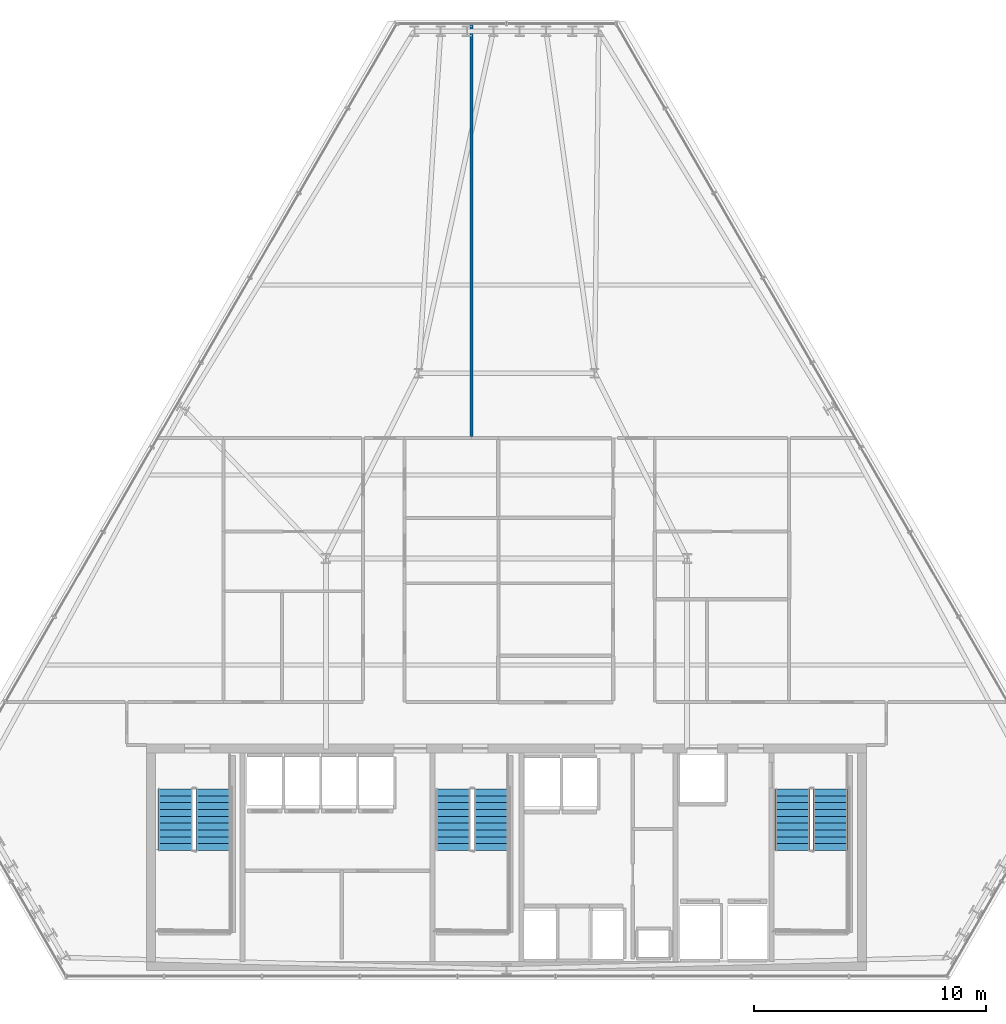
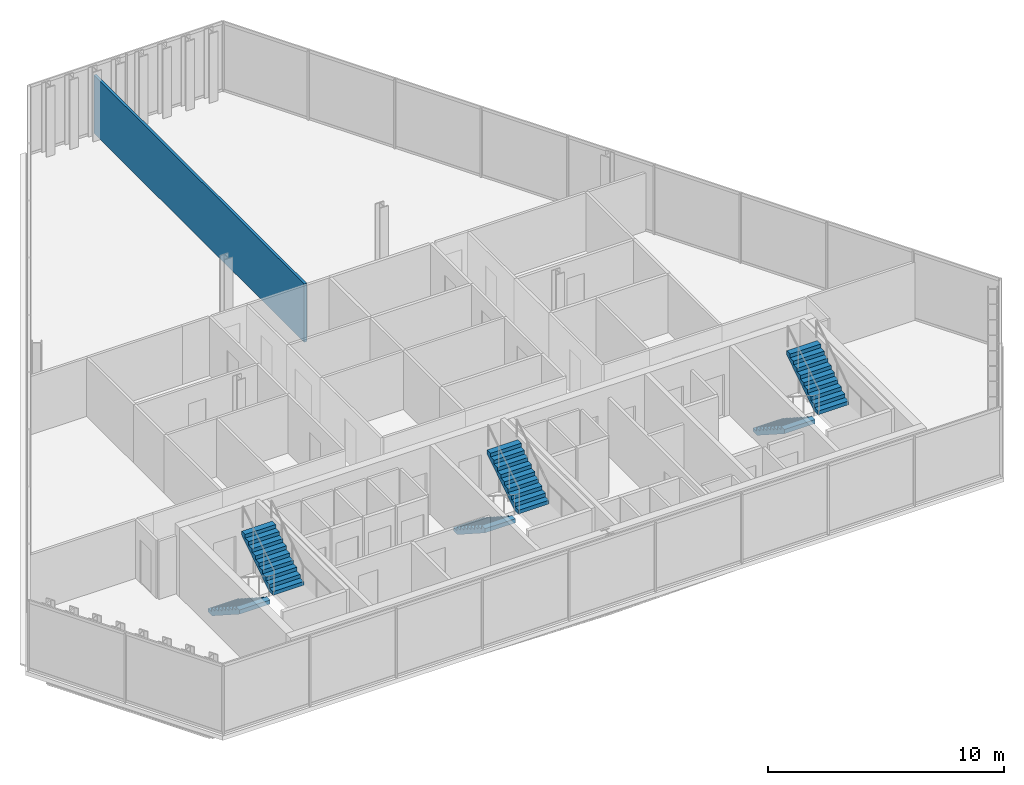
# One storey, part 30 of 33: 6 stair flights, 1 wall, 3 elements without a shape of their own.
"""IFC4 building model written with IfcOpenShell, lengths in metres."""

from ifc_helpers import new_model, si_unit, direction, frame, frame_2d, origin, place, context, subcontext, project, spatial, polyline, rectangle, outline, extrude, material, layer, layer_set, type_object, element, aggregate, save


model = new_model("IFC4")

# Units and contexts
model_context = context("Model", 3, precision=1e-05, world=origin(), true_north=direction((0.0, 1.0)))
body_context = subcontext(model_context, "Body", "Model", "MODEL_VIEW")
ifc_project = project(units=[si_unit("LENGTHUNIT", "METRE"), si_unit("AREAUNIT", "SQUARE_METRE"), si_unit("VOLUMEUNIT", "CUBIC_METRE"), si_unit("PLANEANGLEUNIT", "RADIAN"), si_unit("MASSUNIT", "GRAM", prefix="KILO")], contexts=[model_context])

# Site, building, storey
site_placement = place(None, origin())
site = spatial("IfcSite", under=ifc_project, at=site_placement, CompositionType="ELEMENT")
building_placement = place(site_placement, origin())
building = spatial("IfcBuilding", under=site, at=building_placement, Name="Ndaravel Arena Tower", CompositionType="ELEMENT")
storey_placement = place(building_placement, frame((0.0, 0.0, 184.0)))
storey = spatial("IfcBuildingStorey", under=building, at=storey_placement, Name="L44", CompositionType="ELEMENT", Elevation=184.0)

# Wall
ifc_material_1 = material(Name="Gypsum", Category="gypsum")
ifc_layer = layer(ifc_material_1, 0.125)
ifc_layer_set = layer_set([ifc_layer], Name="Gypsum")
wall_type = type_object("IfcWallType", Name="WALL-PART-125", PredefinedType="PARTITIONING", material=ifc_layer_set)
wall_placement = place(storey_placement, frame((40.49365234375, 46.29248046875, 0.0), z_axis=(0.0, 0.0, 1.0), x_axis=(0.0, -1.0, 0.0)))
element("IfcWall", 1, at=wall_placement, inside=storey, type_object=wall_type, Name="L44 Interior Partition 062", PredefinedType="PARTITIONING", context=body_context, shape_type="SweptSolid", body=[
    extrude(rectangle(XDim=17.827392578125, YDim=0.125, at=frame_2d((8.91357421875, 0.0))), origin(), (0.0, 0.0, 1.0), 3.010498046875),
])

# Stair, stair flights
ifc_material_2 = material(Name="Concrete C40/50", Category="concrete")
stair_type = type_object("IfcStairType", Name="STAIR-CORE-HT", PredefinedType="HALF_TURN_STAIR", material=ifc_material_2)
stair_1_placement = place(storey_placement, origin())
stair_1 = element("IfcStair", 2, at=stair_1_placement, inside=storey, type_object=stair_type, Name="L44 ST-1", PredefinedType="HALF_TURN_STAIR")
ifc_material_3 = material(Name="Concrete C40/50", Category="concrete")
stair_flight_type = type_object("IfcStairFlightType", Name="SFLIGHT-CORE-1680", PredefinedType="STRAIGHT", material=ifc_material_3)
stair_flight_1_placement = place(storey_placement, frame((27.699951171875, 13.25, 0.0), z_axis=(0.0, 0.0, 1.0), x_axis=(0.0, -1.0, 0.0)))
stair_flight_1 = element("IfcStairFlight", 3, at=stair_flight_1_placement, type_object=stair_flight_type, Name="ST-1 flight 1", NumberOfRisers=10, NumberOfTreads=9, PredefinedType="STRAIGHT", RiserHeight=0.19, TreadLength=0.295, context=body_context, shape_type="SweptSolid", body=[
    extrude(outline(polyline([(0.0, 0.0), (0.0, 0.18994140625), (0.294921875, 0.18994140625), (0.294921875, 0.3798828125), (0.590087890625, 0.3798828125), (0.590087890625, 0.570068359375), (0.885009765625, 0.570068359375), (0.885009765625, 0.760009765625), (1.179931640625, 0.760009765625), (1.179931640625, 0.949951171875), (1.47509765625, 0.949951171875), (1.47509765625, 1.139892578125), (1.77001953125, 1.139892578125), (1.77001953125, 1.330078125), (2.06494140625, 1.330078125), (2.06494140625, 1.52001953125), (2.360107421875, 1.52001953125), (2.360107421875, 1.7099609375), (2.655029296875, 1.7099609375), (2.655029296875, 1.89990234375), (2.655029296875, 1.49609375), (0.332275390625, 0.0), (0.0, 0.0)])), frame((0.0, 0.75, 0.0), z_axis=(0.0, -1.0, 0.0), x_axis=(1.0, 0.0, 0.0)), (0.0, 0.0, 1.0), 1.5),
])
stair_flight_2_placement = place(storey_placement, frame((29.340087890625, 10.594970703125, 1.89990234375), z_axis=(0.0, 0.0, 1.0), x_axis=(0.0, 1.0, 0.0)))
stair_flight_2 = element("IfcStairFlight", 4, at=stair_flight_2_placement, type_object=stair_flight_type, Name="ST-1 flight 2", NumberOfRisers=10, NumberOfTreads=9, PredefinedType="STRAIGHT", RiserHeight=0.19, TreadLength=0.295, context=body_context, shape_type="SweptSolid", body=[
    extrude(outline(polyline([(0.0, 0.0), (0.0, 0.18994140625), (0.294921875, 0.18994140625), (0.294921875, 0.3798828125), (0.590087890625, 0.3798828125), (0.590087890625, 0.570068359375), (0.885009765625, 0.570068359375), (0.885009765625, 0.760009765625), (1.179931640625, 0.760009765625), (1.179931640625, 0.949951171875), (1.47509765625, 0.949951171875), (1.47509765625, 1.139892578125), (1.77001953125, 1.139892578125), (1.77001953125, 1.330078125), (2.06494140625, 1.330078125), (2.06494140625, 1.52001953125), (2.360107421875, 1.52001953125), (2.360107421875, 1.7099609375), (2.655029296875, 1.7099609375), (2.655029296875, 1.89990234375), (2.655029296875, 1.49609375), (0.332275390625, 0.0), (0.0, 0.0)])), frame((0.0, 0.75, 0.0), z_axis=(0.0, -1.0, 0.0), x_axis=(1.0, 0.0, 0.0)), (0.0, 0.0, 1.0), 1.5),
])
aggregate(stair_1, [stair_flight_1, stair_flight_2])

stair_2_placement = place(storey_placement, origin())
stair_2 = element("IfcStair", 5, at=stair_2_placement, inside=storey, type_object=stair_type, Name="L44 ST-2", PredefinedType="HALF_TURN_STAIR")
stair_flight_3_placement = place(storey_placement, frame((39.699951171875, 13.25, 0.0), z_axis=(0.0, 0.0, 1.0), x_axis=(0.0, -1.0, 0.0)))
stair_flight_3 = element("IfcStairFlight", 6, at=stair_flight_3_placement, type_object=stair_flight_type, Name="ST-2 flight 1", NumberOfRisers=10, NumberOfTreads=9, PredefinedType="STRAIGHT", RiserHeight=0.19, TreadLength=0.295, context=body_context, shape_type="SweptSolid", body=[
    extrude(outline(polyline([(0.0, 0.0), (0.0, 0.18994140625), (0.294921875, 0.18994140625), (0.294921875, 0.3798828125), (0.590087890625, 0.3798828125), (0.590087890625, 0.570068359375), (0.885009765625, 0.570068359375), (0.885009765625, 0.760009765625), (1.179931640625, 0.760009765625), (1.179931640625, 0.949951171875), (1.47509765625, 0.949951171875), (1.47509765625, 1.139892578125), (1.77001953125, 1.139892578125), (1.77001953125, 1.330078125), (2.06494140625, 1.330078125), (2.06494140625, 1.52001953125), (2.360107421875, 1.52001953125), (2.360107421875, 1.7099609375), (2.655029296875, 1.7099609375), (2.655029296875, 1.89990234375), (2.655029296875, 1.49609375), (0.332275390625, 0.0), (0.0, 0.0)])), frame((0.0, 0.75, 0.0), z_axis=(0.0, -1.0, 0.0), x_axis=(1.0, 0.0, 0.0)), (0.0, 0.0, 1.0), 1.5),
])
stair_flight_4_placement = place(storey_placement, frame((41.340087890625, 10.594970703125, 1.89990234375), z_axis=(0.0, 0.0, 1.0), x_axis=(0.0, 1.0, 0.0)))
stair_flight_4 = element("IfcStairFlight", 7, at=stair_flight_4_placement, type_object=stair_flight_type, Name="ST-2 flight 2", NumberOfRisers=10, NumberOfTreads=9, PredefinedType="STRAIGHT", RiserHeight=0.19, TreadLength=0.295, context=body_context, shape_type="SweptSolid", body=[
    extrude(outline(polyline([(0.0, 0.0), (0.0, 0.18994140625), (0.294921875, 0.18994140625), (0.294921875, 0.3798828125), (0.590087890625, 0.3798828125), (0.590087890625, 0.570068359375), (0.885009765625, 0.570068359375), (0.885009765625, 0.760009765625), (1.179931640625, 0.760009765625), (1.179931640625, 0.949951171875), (1.47509765625, 0.949951171875), (1.47509765625, 1.139892578125), (1.77001953125, 1.139892578125), (1.77001953125, 1.330078125), (2.06494140625, 1.330078125), (2.06494140625, 1.52001953125), (2.360107421875, 1.52001953125), (2.360107421875, 1.7099609375), (2.655029296875, 1.7099609375), (2.655029296875, 1.89990234375), (2.655029296875, 1.49609375), (0.332275390625, 0.0), (0.0, 0.0)])), frame((0.0, 0.75, 0.0), z_axis=(0.0, -1.0, 0.0), x_axis=(1.0, 0.0, 0.0)), (0.0, 0.0, 1.0), 1.5),
])
aggregate(stair_2, [stair_flight_3, stair_flight_4])

stair_3_placement = place(storey_placement, origin())
stair_3 = element("IfcStair", 8, at=stair_3_placement, inside=storey, type_object=stair_type, Name="L44 ST-3", PredefinedType="HALF_TURN_STAIR")
stair_flight_5_placement = place(storey_placement, frame((54.35009765625, 13.25, 0.0), z_axis=(0.0, 0.0, 1.0), x_axis=(0.0, -1.0, 0.0)))
stair_flight_5 = element("IfcStairFlight", 9, at=stair_flight_5_placement, type_object=stair_flight_type, Name="ST-3 flight 1", NumberOfRisers=10, NumberOfTreads=9, PredefinedType="STRAIGHT", RiserHeight=0.19, TreadLength=0.295, context=body_context, shape_type="SweptSolid", body=[
    extrude(outline(polyline([(0.0, 0.0), (0.0, 0.18994140625), (0.294921875, 0.18994140625), (0.294921875, 0.3798828125), (0.590087890625, 0.3798828125), (0.590087890625, 0.570068359375), (0.885009765625, 0.570068359375), (0.885009765625, 0.760009765625), (1.179931640625, 0.760009765625), (1.179931640625, 0.949951171875), (1.47509765625, 0.949951171875), (1.47509765625, 1.139892578125), (1.77001953125, 1.139892578125), (1.77001953125, 1.330078125), (2.06494140625, 1.330078125), (2.06494140625, 1.52001953125), (2.360107421875, 1.52001953125), (2.360107421875, 1.7099609375), (2.655029296875, 1.7099609375), (2.655029296875, 1.89990234375), (2.655029296875, 1.49609375), (0.332275390625, 0.0), (0.0, 0.0)])), frame((0.0, 0.75, 0.0), z_axis=(0.0, -1.0, 0.0), x_axis=(1.0, 0.0, 0.0)), (0.0, 0.0, 1.0), 1.5),
])
stair_flight_6_placement = place(storey_placement, frame((55.989990234375, 10.594970703125, 1.89990234375), z_axis=(0.0, 0.0, 1.0), x_axis=(0.0, 1.0, 0.0)))
stair_flight_6 = element("IfcStairFlight", 10, at=stair_flight_6_placement, type_object=stair_flight_type, Name="ST-3 flight 2", NumberOfRisers=10, NumberOfTreads=9, PredefinedType="STRAIGHT", RiserHeight=0.19, TreadLength=0.295, context=body_context, shape_type="SweptSolid", body=[
    extrude(outline(polyline([(0.0, 0.0), (0.0, 0.18994140625), (0.294921875, 0.18994140625), (0.294921875, 0.3798828125), (0.590087890625, 0.3798828125), (0.590087890625, 0.570068359375), (0.885009765625, 0.570068359375), (0.885009765625, 0.760009765625), (1.179931640625, 0.760009765625), (1.179931640625, 0.949951171875), (1.47509765625, 0.949951171875), (1.47509765625, 1.139892578125), (1.77001953125, 1.139892578125), (1.77001953125, 1.330078125), (2.06494140625, 1.330078125), (2.06494140625, 1.52001953125), (2.360107421875, 1.52001953125), (2.360107421875, 1.7099609375), (2.655029296875, 1.7099609375), (2.655029296875, 1.89990234375), (2.655029296875, 1.49609375), (0.332275390625, 0.0), (0.0, 0.0)])), frame((0.0, 0.75, 0.0), z_axis=(0.0, -1.0, 0.0), x_axis=(1.0, 0.0, 0.0)), (0.0, 0.0, 1.0), 1.5),
])
aggregate(stair_3, [stair_flight_5, stair_flight_6])

save(model, "model.ifc")
